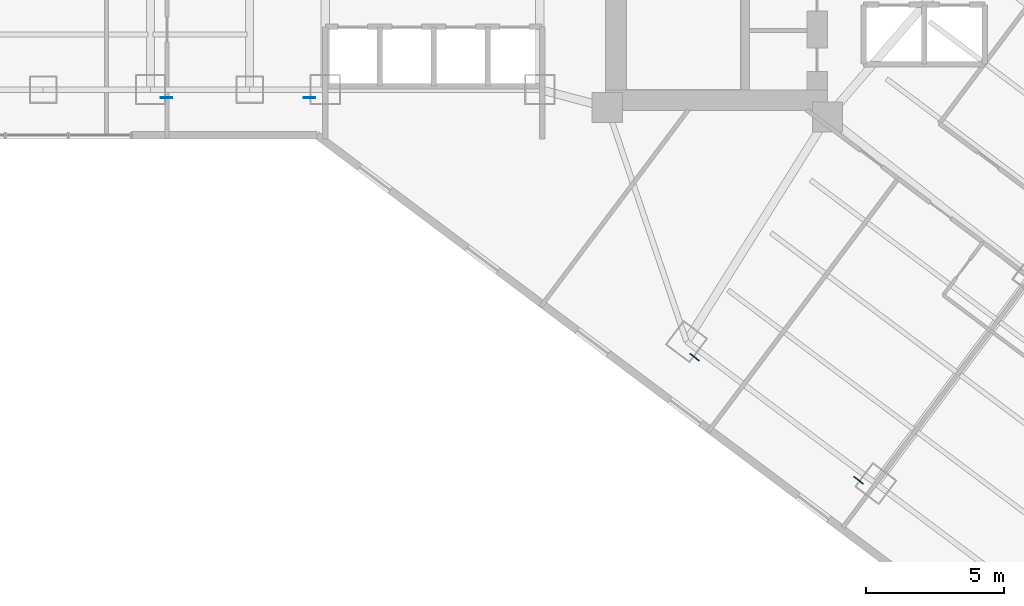
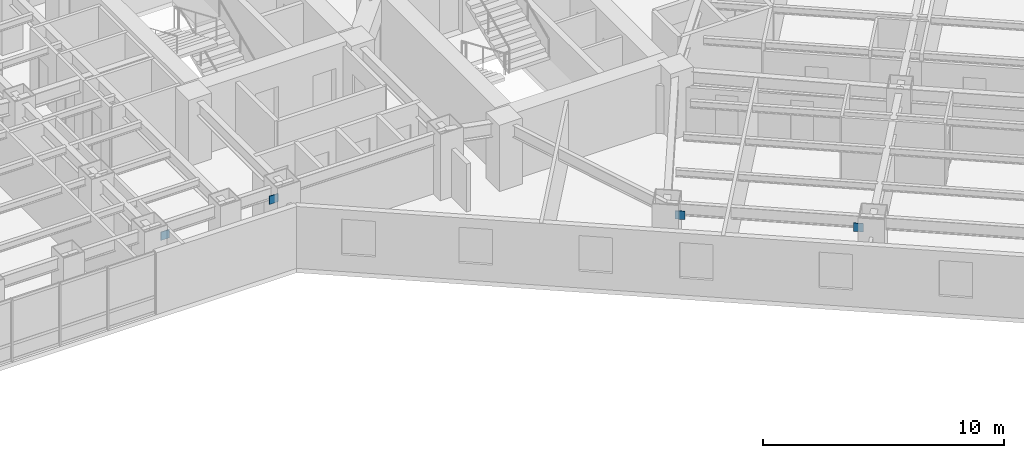
# One storey, part 22 of 37: 4 plates.
"""IFC4 building model written with IfcOpenShell, lengths in metres."""

from ifc_helpers import new_model, si_unit, direction, frame, origin, origin_2d, place, context, subcontext, project, spatial, rectangle, extrude, material, layer, layer_set, type_object, element, save


model = new_model("IFC4")

# Units and contexts
model_context = context("Model", 3, precision=1e-05, world=origin(), true_north=direction((0.0, 1.0)))
body_context = subcontext(model_context, "Body", "Model", "MODEL_VIEW")
ifc_project = project(units=[si_unit("LENGTHUNIT", "METRE"), si_unit("AREAUNIT", "SQUARE_METRE"), si_unit("VOLUMEUNIT", "CUBIC_METRE"), si_unit("PLANEANGLEUNIT", "RADIAN"), si_unit("MASSUNIT", "GRAM", prefix="KILO")], contexts=[model_context])

# Site, building, storey
site_placement = place(None, origin())
site = spatial("IfcSite", under=ifc_project, at=site_placement, CompositionType="ELEMENT")
building_placement = place(site_placement, origin())
building = spatial("IfcBuilding", under=site, at=building_placement, Name="Hatsunagi Terrace Concourse", CompositionType="ELEMENT")
storey_placement = place(building_placement, frame((0.0, 0.0, 39.949951171875)))
storey = spatial("IfcBuildingStorey", under=building, at=storey_placement, Name="L09", CompositionType="ELEMENT", Elevation=39.949951171875)

# Plates
ifc_material = material(Name="Steel SN490C", Category="steel")
ifc_layer = layer(ifc_material, 0.031982421875)
ifc_layer_set = layer_set([ifc_layer], Name="XBraceNodeCapPlate_32")
plate_type = type_object("IfcPlateType", Name="XBraceNodeCapPlate_32", PredefinedType="USERDEFINED", material=ifc_layer_set)
for number, where, z_axis, x_axis, name in (
    (1, (19.77490234375, 24.89990234375, 2.47998046875), (0.0, 0.0, 1.0), (1.0, 0.0, 0.0), "Cast-In Core and Node Embed Plate GP-02 EP-XB-L07-W1-AT"),
    (2, (24.97509765625, 24.89990234375, 2.47998046875), (0.0, 0.0, 1.0), (1.0, 0.0, 0.0), "Cast-In Core and Node Embed Plate GP-02 EP-XB-L07-W1-BT"),
    (3, (38.971923828125, 15.470947265625, 2.47998046875), (0.0, 0.0, 1.0), (0.799999996291, -0.600000004945, 0.0), "Cast-In Core and Node Embed Plate GP-02 EP-XB-L07-SE-AT"),
    (4, (44.931884765625, 11.0009765625, 2.47998046875), (0.0, 0.0, 1.0), (0.799999996291, -0.600000004945, 0.0), "Cast-In Core and Node Embed Plate GP-02 EP-XB-L07-SE-BT"),
):
    element("IfcPlate", number, at=place(storey_placement, frame(where, z_axis=z_axis, x_axis=x_axis)), inside=storey, type_object=plate_type, Name=name, ObjectType="GUSSET_PLATE", PredefinedType="USERDEFINED", context=body_context, shape_type="SweptSolid", body=[
        extrude(rectangle(XDim=0.419921875, YDim=0.031982421875, at=origin_2d()), origin(), (0.0, 0.0, 1.0), 0.419921875),
    ])

save(model, "model.ifc")
